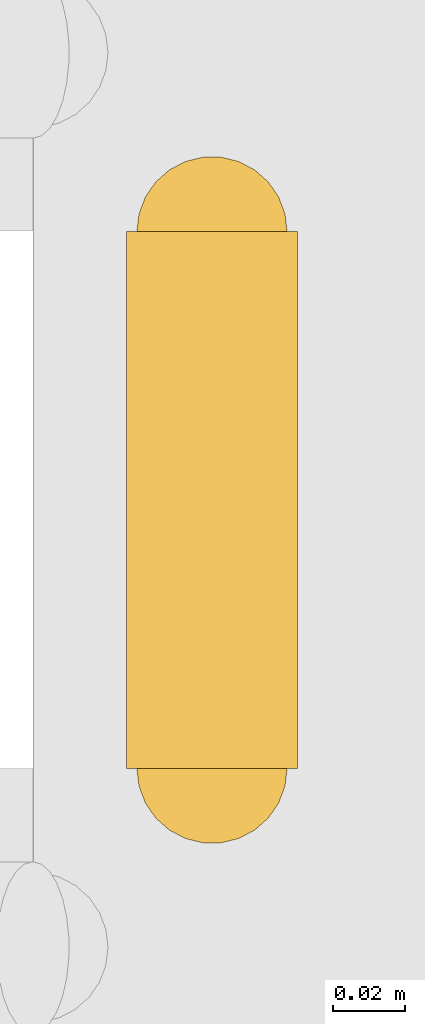
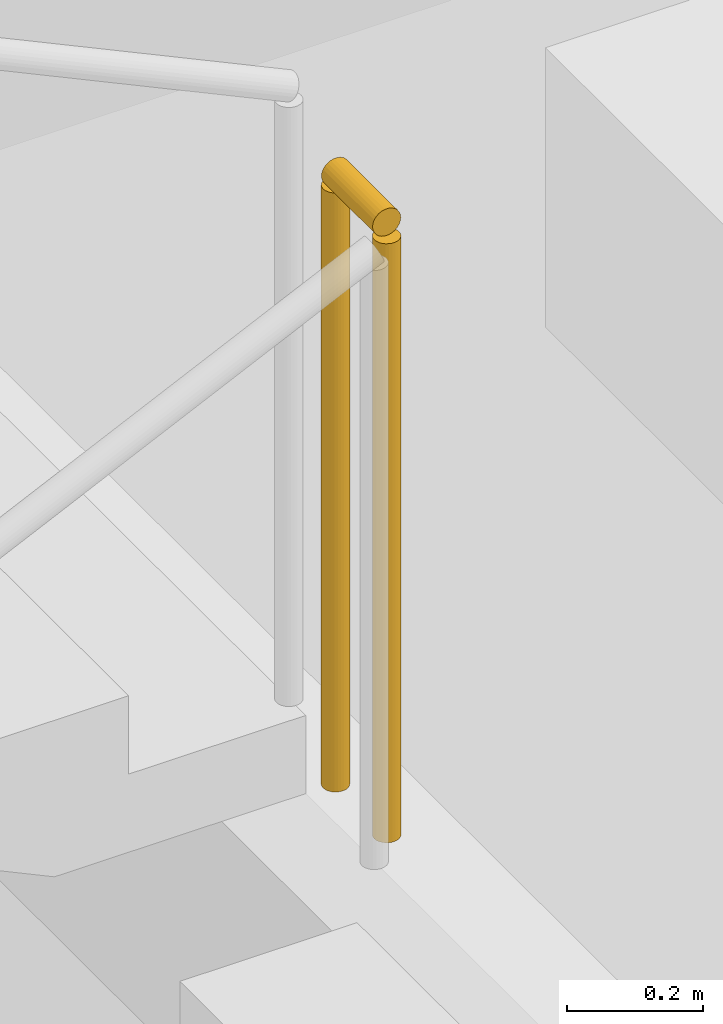
# One storey, part 110 of 132: 1 railing.
"""IFC4 building model written with IfcOpenShell, lengths in metres."""

from ifc_helpers import new_model, si_unit, direction, frame, origin, origin_2d, place, context, subcontext, project, spatial, circle, extrude, material, type_object, element, save


model = new_model("IFC4")

# Units and contexts
model_context = context("Model", 3, precision=1e-05, world=origin(), true_north=direction((0.0, 1.0)))
body_context = subcontext(model_context, "Body", "Model", "MODEL_VIEW")
ifc_project = project(units=[si_unit("LENGTHUNIT", "METRE"), si_unit("AREAUNIT", "SQUARE_METRE"), si_unit("VOLUMEUNIT", "CUBIC_METRE"), si_unit("PLANEANGLEUNIT", "RADIAN"), si_unit("MASSUNIT", "GRAM", prefix="KILO")], contexts=[model_context])

# Site, building, storey
site_placement = place(None, origin())
site = spatial("IfcSite", under=ifc_project, at=site_placement, CompositionType="ELEMENT")
building_placement = place(site_placement, origin())
building = spatial("IfcBuilding", under=site, at=building_placement, Name="Cumbredor Promenade Congress Hotel", CompositionType="ELEMENT")
storey_placement = place(building_placement, frame((0.0, 0.0, 7.56005859375)))
storey = spatial("IfcBuildingStorey", under=building, at=storey_placement, Name="L02", CompositionType="ELEMENT", Elevation=7.56005859375)

# Railing
ifc_material = material(Name="Brushed stainless steel", Category="steel")
railing_type = type_object("IfcRailingType", Name="Interior Void & Stair Guardrail GR-1100", PredefinedType="GUARDRAIL", material=ifc_material)
railing_placement = place(storey_placement, frame((65.0, 11.25, 2.099853515625)))
element("IfcRailing", 1, at=railing_placement, inside=storey, type_object=railing_type, Name="L02 ST-05 stair guard 2", PredefinedType="GUARDRAIL", context=body_context, shape_type="SweptSolid", body=[
    extrude(circle(Radius=0.02392578125, at=origin_2d()), frame((0.0, 0.0, 1.09619140625), z_axis=(0.0, 1.0, 0.0), x_axis=(-1.0, 0.0, 0.0)), (0.0, 0.0, 1.0), 0.14990234375),
    extrude(circle(Radius=0.02099609375, at=origin_2d()), origin(), (0.0, 0.0, 1.0), 1.072021484375),
    extrude(circle(Radius=0.02099609375, at=origin_2d()), frame((0.0, 0.14990234375, 0.0)), (0.0, 0.0, 1.0), 1.072021484375),
])

save(model, "model.ifc")
